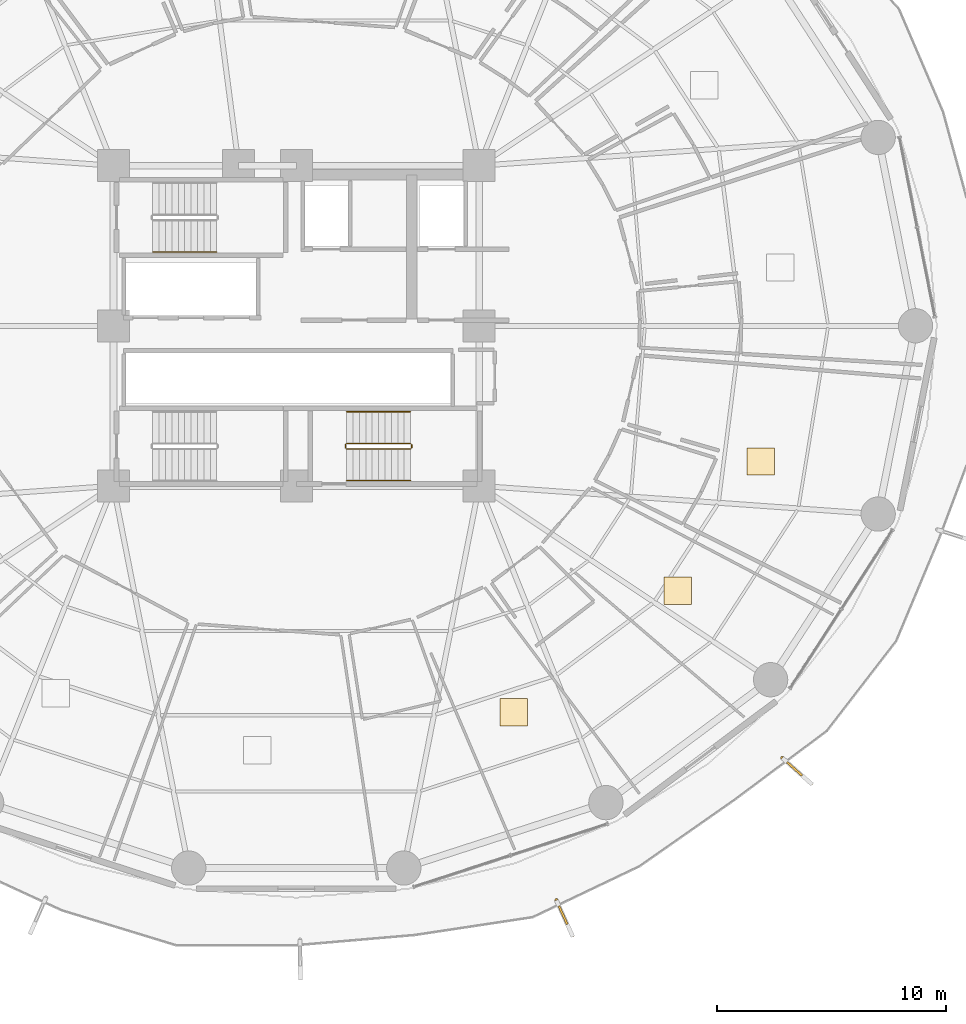
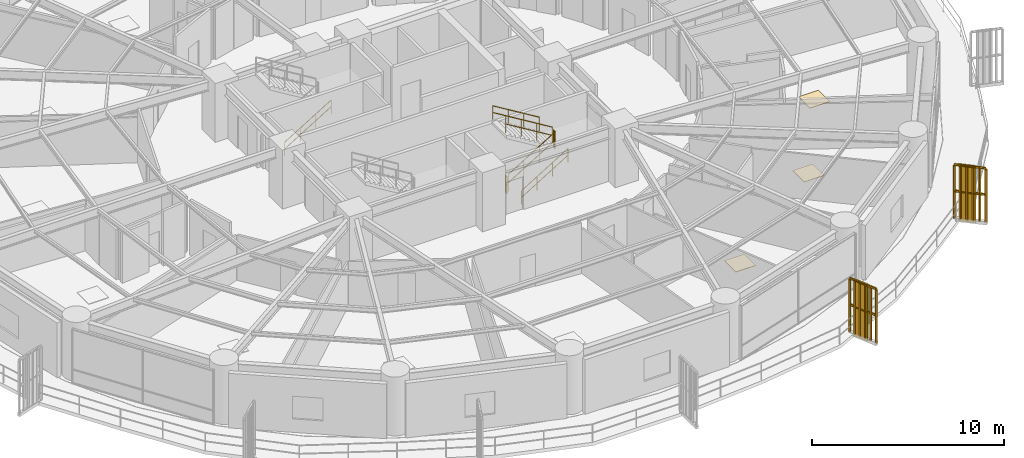
# One storey, part 29 of 32: 9 railings, 3 coverings, 2 shading devices.
"""IFC4 building model written with IfcOpenShell, lengths in metres."""

from ifc_helpers import new_model, si_unit, direction, frame, origin, origin_2d, place, context, subcontext, project, spatial, polyline, rectangle, outline, extrude, source, transform, mapped, material, layer, layer_set, type_object, element, save


model = new_model("IFC4")

# Units and contexts
model_context = context("Model", 3, precision=1e-05, world=origin(), true_north=direction((0.0, 1.0)))
body_context = subcontext(model_context, "Body", "Model", "MODEL_VIEW")
ifc_project = project(units=[si_unit("LENGTHUNIT", "METRE"), si_unit("AREAUNIT", "SQUARE_METRE"), si_unit("VOLUMEUNIT", "CUBIC_METRE"), si_unit("PLANEANGLEUNIT", "RADIAN"), si_unit("MASSUNIT", "GRAM", prefix="KILO")], contexts=[model_context])

# Site, building, storey
site_placement = place(None, origin())
site = spatial("IfcSite", under=ifc_project, at=site_placement, CompositionType="ELEMENT")
building_placement = place(site_placement, origin())
building = spatial("IfcBuilding", under=site, at=building_placement, Name="Kelanora Arch Commons", CompositionType="ELEMENT")
storey_placement = place(building_placement, frame((0.0, 0.0, 56.25)))
storey = spatial("IfcBuildingStorey", under=building, at=storey_placement, Name="L14", CompositionType="ELEMENT", Elevation=56.25)

# Railings
ifc_material_1 = material(Name="Anodised bronze vertical shading fin rib assembly")
railing_type_1 = type_object("IfcRailingType", Name="RAIL-FIN-BRZ", PredefinedType="BALUSTRADE", material=ifc_material_1)
railing_1_placement = place(storey_placement, frame((85.372802734375, 32.87841796875, -0.02001953125)))
element("IfcRailing", 1, at=railing_1_placement, inside=storey, type_object=railing_type_1, Name="Sweeping Bronze Vertical Fin Blade L14-11", PredefinedType="BALUSTRADE", context=body_context, shape_type="SweptSolid", body=[
    extrude(outline(polyline([(0.06982421875, 0.0), (0.034912109375, 0.060546875), (-0.034912109375, 0.060546875), (-0.06982421875, 0.0), (-0.034912109375, -0.060546875), (0.034912109375, -0.060546875), (0.06982421875, 0.0)])), frame((0.0, 0.0, 3.419921875), z_axis=(0.412433015185, -0.910987929659, 0.0), x_axis=(0.910987929659, 0.412433015185, 0.0)), (0.0, 0.0, 1.0), 1.6923828125),
    extrude(outline(polyline([(0.06982421875, 0.0), (0.034912109375, 0.060546875), (-0.034912109375, 0.060546875), (-0.06982421875, 0.0), (-0.034912109375, -0.060546875), (0.034912109375, -0.060546875), (0.06982421875, 0.0)])), frame((0.0, 0.0, 1.7451171875), z_axis=(0.412433015185, -0.910987929659, 0.0), x_axis=(0.910987929659, 0.412433015185, 0.0)), (0.0, 0.0, 1.0), 1.6923828125),
    extrude(outline(polyline([(0.080078125, 0.0), (0.0400390625, 0.0693359375), (-0.0400390625, 0.0693359375), (-0.080078125, 0.0), (-0.0400390625, -0.0693359375), (0.0400390625, -0.0693359375), (0.080078125, 0.0)])), origin(), (0.0, 0.0, 1.0), 3.35009765625),
    extrude(outline(polyline([(0.080078125, 0.0), (0.0400390625, 0.0693359375), (-0.0400390625, 0.0693359375), (-0.080078125, 0.0), (-0.0400390625, -0.0693359375), (0.0400390625, -0.0693359375), (0.080078125, 0.0)])), frame((0.1396484375, -0.308349609375, 0.0)), (0.0, 0.0, 1.0), 3.35009765625),
    extrude(outline(polyline([(0.080078125, 0.0), (0.0400390625, 0.0693359375), (-0.0400390625, 0.0693359375), (-0.080078125, 0.0), (-0.0400390625, -0.0693359375), (0.0400390625, -0.0693359375), (0.080078125, 0.0)])), frame((0.279296875, -0.61669921875, 0.0)), (0.0, 0.0, 1.0), 3.35009765625),
    extrude(outline(polyline([(0.080078125, 0.0), (0.0400390625, 0.0693359375), (-0.0400390625, 0.0693359375), (-0.080078125, 0.0), (-0.0400390625, -0.0693359375), (0.0400390625, -0.0693359375), (0.080078125, 0.0)])), frame((0.418701171875, -0.925048828125, 0.0)), (0.0, 0.0, 1.0), 3.35009765625),
    extrude(outline(polyline([(0.080078125, 0.0), (0.0400390625, 0.0693359375), (-0.0400390625, 0.0693359375), (-0.080078125, 0.0), (-0.0400390625, -0.0693359375), (0.0400390625, -0.0693359375), (0.080078125, 0.0)])), frame((0.558349609375, -1.2333984375, 0.0)), (0.0, 0.0, 1.0), 3.35009765625),
    extrude(outline(polyline([(0.080078125, 0.0), (0.0400390625, 0.0693359375), (-0.0400390625, 0.0693359375), (-0.080078125, 0.0), (-0.0400390625, -0.0693359375), (0.0400390625, -0.0693359375), (0.080078125, 0.0)])), frame((0.697998046875, -1.541748046875, 0.0)), (0.0, 0.0, 1.0), 3.35009765625),
])
railing_2_placement = place(storey_placement, frame((95.25390625, 39.101318359375, -0.02001953125)))
element("IfcRailing", 2, at=railing_2_placement, inside=storey, type_object=railing_type_1, Name="Sweeping Bronze Vertical Fin Blade L14-12", PredefinedType="BALUSTRADE", context=body_context, shape_type="SweptSolid", body=[
    extrude(outline(polyline([(0.06982421875, 0.0), (0.034912109375, 0.060546875), (-0.034912109375, 0.060546875), (-0.06982421875, 0.0), (-0.034912109375, -0.060546875), (0.034912109375, -0.060546875), (0.06982421875, 0.0)])), frame((0.0, 0.0, 3.419921875), z_axis=(0.747289938381, -0.664498117375, 0.0), x_axis=(0.664498117375, 0.747289938381, 0.0)), (0.0, 0.0, 1.0), 1.692626953125),
    extrude(outline(polyline([(0.06982421875, 0.0), (0.034912109375, 0.060546875), (-0.034912109375, 0.060546875), (-0.06982421875, 0.0), (-0.034912109375, -0.060546875), (0.034912109375, -0.060546875), (0.06982421875, 0.0)])), frame((0.0, 0.0, 1.7451171875), z_axis=(0.747289938381, -0.664498117375, 0.0), x_axis=(0.664498117375, 0.747289938381, 0.0)), (0.0, 0.0, 1.0), 1.692626953125),
    extrude(outline(polyline([(0.080078125, 0.0), (0.0400390625, 0.0693359375), (-0.0400390625, 0.0693359375), (-0.080078125, 0.0), (-0.0400390625, -0.0693359375), (0.0400390625, -0.0693359375), (0.080078125, 0.0)])), origin(), (0.0, 0.0, 1.0), 3.35009765625),
    extrude(outline(polyline([(0.080078125, 0.0), (0.0400390625, 0.0693359375), (-0.0400390625, 0.0693359375), (-0.080078125, 0.0), (-0.0400390625, -0.0693359375), (0.0400390625, -0.0693359375), (0.080078125, 0.0)])), frame((0.2529296875, -0.224853515625, 0.0)), (0.0, 0.0, 1.0), 3.35009765625),
    extrude(outline(polyline([(0.080078125, 0.0), (0.0400390625, 0.0693359375), (-0.0400390625, 0.0693359375), (-0.080078125, 0.0), (-0.0400390625, -0.0693359375), (0.0400390625, -0.0693359375), (0.080078125, 0.0)])), frame((0.505859375, -0.449951171875, 0.0)), (0.0, 0.0, 1.0), 3.35009765625),
    extrude(outline(polyline([(0.080078125, 0.0), (0.0400390625, 0.0693359375), (-0.0400390625, 0.0693359375), (-0.080078125, 0.0), (-0.0400390625, -0.0693359375), (0.0400390625, -0.0693359375), (0.080078125, 0.0)])), frame((0.759033203125, -0.6748046875, 0.0)), (0.0, 0.0, 1.0), 3.35009765625),
    extrude(outline(polyline([(0.080078125, 0.0), (0.0400390625, 0.0693359375), (-0.0400390625, 0.0693359375), (-0.080078125, 0.0), (-0.0400390625, -0.0693359375), (0.0400390625, -0.0693359375), (0.080078125, 0.0)])), frame((1.011962890625, -0.89990234375, 0.0)), (0.0, 0.0, 1.0), 3.35009765625),
    extrude(outline(polyline([(0.080078125, 0.0), (0.0400390625, 0.0693359375), (-0.0400390625, 0.0693359375), (-0.080078125, 0.0), (-0.0400390625, -0.0693359375), (0.0400390625, -0.0693359375), (0.080078125, 0.0)])), frame((1.264892578125, -1.124755859375, 0.0)), (0.0, 0.0, 1.0), 3.35009765625),
])
ifc_material_2 = material(Name="Painted steel stair well guard", Category="steel")
railing_type_2 = type_object("IfcRailingType", Name="RAIL-STAIR-GRD", PredefinedType="GUARDRAIL", material=ifc_material_2)
railing_3_placement = place(storey_placement, frame((76.199951171875, 52.610107421875, 0.17041015625)))
element("IfcRailing", 3, at=railing_3_placement, inside=storey, type_object=railing_type_2, Name="L14 ST-T2 stair guard 1", PredefinedType="GUARDRAIL", context=body_context, shape_type="SweptSolid", body=[
    extrude(outline(polyline([(0.02392578125, 0.0), (0.011962890625, 0.020751953125), (-0.011962890625, 0.020751953125), (-0.02392578125, 0.0), (-0.011962890625, -0.020751953125), (0.011962890625, -0.020751953125), (0.02392578125, 0.0)])), frame((0.0, 0.0, 1.076171875), z_axis=(0.854169791009, 0.0, 0.51999420009), x_axis=(0.0, 1.0, 0.0)), (0.0, 0.0, 1.0), 3.278076171875),
    extrude(outline(polyline([(0.02392578125, 0.0), (0.011962890625, 0.020751953125), (-0.011962890625, 0.020751953125), (-0.02392578125, 0.0), (-0.011962890625, -0.020751953125), (0.011962890625, -0.020751953125), (0.02392578125, 0.0)])), frame((0.0, 0.0, 0.550048828125), z_axis=(0.854169791009, 0.0, 0.51999420009), x_axis=(0.0, 1.0, 0.0)), (0.0, 0.0, 1.0), 3.278076171875),
    extrude(outline(polyline([(0.02099609375, 0.0), (0.010498046875, 0.01806640625), (-0.010498046875, 0.01806640625), (-0.02099609375, 0.0), (-0.010498046875, -0.01806640625), (0.010498046875, -0.01806640625), (0.02099609375, 0.0)])), origin(), (0.0, 0.0, 1.0), 1.052001953125),
    extrude(outline(polyline([(0.02099609375, 0.0), (0.010498046875, 0.01806640625), (-0.010498046875, 0.01806640625), (-0.02099609375, 0.0), (-0.010498046875, -0.01806640625), (0.010498046875, -0.01806640625), (0.02099609375, 0.0)])), frame((0.933349609375, 0.0, 0.568115234375)), (0.0, 0.0, 1.0), 1.052001953125),
    extrude(outline(polyline([(0.02099609375, 0.0), (0.010498046875, 0.01806640625), (-0.010498046875, 0.01806640625), (-0.02099609375, 0.0), (-0.010498046875, -0.01806640625), (0.010498046875, -0.01806640625), (0.02099609375, 0.0)])), frame((1.86669921875, 0.0, 1.136474609375)), (0.0, 0.0, 1.0), 1.052001953125),
    extrude(outline(polyline([(0.02099609375, 0.0), (0.010498046875, 0.01806640625), (-0.010498046875, 0.01806640625), (-0.02099609375, 0.0), (-0.010498046875, -0.01806640625), (0.010498046875, -0.01806640625), (0.02099609375, 0.0)])), frame((2.800048828125, 0.0, 1.70458984375)), (0.0, 0.0, 1.0), 1.052001953125),
])
railing_4_placement = place(storey_placement, frame((79.050048828125, 52.659912109375, 1.875)))
element("IfcRailing", 4, at=railing_4_placement, inside=storey, type_object=railing_type_2, Name="L14 ST-T2 stair guard 2", PredefinedType="GUARDRAIL", context=body_context, shape_type="SweptSolid", body=[
    extrude(outline(polyline([(0.02392578125, 0.0), (0.011962890625, 0.020751953125), (-0.011962890625, 0.020751953125), (-0.02392578125, 0.0), (-0.011962890625, -0.020751953125), (0.011962890625, -0.020751953125), (0.02392578125, 0.0)])), frame((0.0, 0.0, 1.076171875), z_axis=(0.0, 1.0, 0.0), x_axis=(-1.0, 0.0, 0.0)), (0.0, 0.0, 1.0), 0.150146484375),
    extrude(outline(polyline([(0.02392578125, 0.0), (0.011962890625, 0.020751953125), (-0.011962890625, 0.020751953125), (-0.02392578125, 0.0), (-0.011962890625, -0.020751953125), (0.011962890625, -0.020751953125), (0.02392578125, 0.0)])), frame((0.0, 0.0, 0.550048828125), z_axis=(0.0, 1.0, 0.0), x_axis=(-1.0, 0.0, 0.0)), (0.0, 0.0, 1.0), 0.150146484375),
    extrude(outline(polyline([(0.02099609375, 0.0), (0.010498046875, 0.01806640625), (-0.010498046875, 0.01806640625), (-0.02099609375, 0.0), (-0.010498046875, -0.01806640625), (0.010498046875, -0.01806640625), (0.02099609375, 0.0)])), origin(), (0.0, 0.0, 1.0), 1.052001953125),
    extrude(outline(polyline([(0.02099609375, 0.0), (0.010498046875, 0.01806640625), (-0.010498046875, 0.01806640625), (-0.02099609375, 0.0), (-0.010498046875, -0.01806640625), (0.010498046875, -0.01806640625), (0.02099609375, 0.0)])), frame((0.0, 0.150146484375, 0.0)), (0.0, 0.0, 1.0), 1.052001953125),
])
railing_5_placement = place(storey_placement, frame((79.0, 52.860107421875, 2.04541015625)))
element("IfcRailing", 5, at=railing_5_placement, inside=storey, type_object=railing_type_2, Name="L14 ST-T2 stair guard 3", PredefinedType="GUARDRAIL", context=body_context, shape_type="SweptSolid", body=[
    extrude(outline(polyline([(0.02392578125, 0.0), (0.011962890625, 0.020751953125), (-0.011962890625, 0.020751953125), (-0.02392578125, 0.0), (-0.011962890625, -0.020751953125), (0.011962890625, -0.020751953125), (0.02392578125, 0.0)])), frame((0.0, 0.0, 1.076171875), z_axis=(-0.854169791009, 0.0, 0.51999420009), x_axis=(0.0, -1.0, 0.0)), (0.0, 0.0, 1.0), 3.278076171875),
    extrude(outline(polyline([(0.02392578125, 0.0), (0.011962890625, 0.020751953125), (-0.011962890625, 0.020751953125), (-0.02392578125, 0.0), (-0.011962890625, -0.020751953125), (0.011962890625, -0.020751953125), (0.02392578125, 0.0)])), frame((0.0, 0.0, 0.550048828125), z_axis=(-0.854169791009, 0.0, 0.51999420009), x_axis=(0.0, -1.0, 0.0)), (0.0, 0.0, 1.0), 3.278076171875),
    extrude(outline(polyline([(0.02099609375, 0.0), (0.010498046875, 0.01806640625), (-0.010498046875, 0.01806640625), (-0.02099609375, 0.0), (-0.010498046875, -0.01806640625), (0.010498046875, -0.01806640625), (0.02099609375, 0.0)])), origin(), (0.0, 0.0, 1.0), 1.052001953125),
    extrude(outline(polyline([(0.02099609375, 0.0), (0.010498046875, 0.01806640625), (-0.010498046875, 0.01806640625), (-0.02099609375, 0.0), (-0.010498046875, -0.01806640625), (0.010498046875, -0.01806640625), (0.02099609375, 0.0)])), frame((-0.933349609375, 0.0, 0.568115234375)), (0.0, 0.0, 1.0), 1.052001953125),
    extrude(outline(polyline([(0.02099609375, 0.0), (0.010498046875, 0.01806640625), (-0.010498046875, 0.01806640625), (-0.02099609375, 0.0), (-0.010498046875, -0.01806640625), (0.010498046875, -0.01806640625), (0.02099609375, 0.0)])), frame((-1.86669921875, 0.0, 1.136474609375)), (0.0, 0.0, 1.0), 1.052001953125),
    extrude(outline(polyline([(0.02099609375, 0.0), (0.010498046875, 0.01806640625), (-0.010498046875, 0.01806640625), (-0.02099609375, 0.0), (-0.010498046875, -0.01806640625), (0.010498046875, -0.01806640625), (0.02099609375, 0.0)])), frame((-2.800048828125, 0.0, 1.70458984375)), (0.0, 0.0, 1.0), 1.052001953125),
])
railing_6_placement = place(storey_placement, frame((76.14990234375, 52.659912109375, 0.0)))
element("IfcRailing", 6, at=railing_6_placement, inside=storey, type_object=railing_type_2, Name="L14 ST-T2 stair guard 4", PredefinedType="GUARDRAIL", context=body_context, shape_type="SweptSolid", body=[
    extrude(outline(polyline([(0.02392578125, 0.0), (0.011962890625, 0.020751953125), (-0.011962890625, 0.020751953125), (-0.02392578125, 0.0), (-0.011962890625, -0.020751953125), (0.011962890625, -0.020751953125), (0.02392578125, 0.0)])), frame((0.0, 0.0, 1.076171875), z_axis=(0.0, 1.0, 0.0), x_axis=(-1.0, 0.0, 0.0)), (0.0, 0.0, 1.0), 0.150146484375),
    extrude(outline(polyline([(0.02392578125, 0.0), (0.011962890625, 0.020751953125), (-0.011962890625, 0.020751953125), (-0.02392578125, 0.0), (-0.011962890625, -0.020751953125), (0.011962890625, -0.020751953125), (0.02392578125, 0.0)])), frame((0.0, 0.0, 0.550048828125), z_axis=(0.0, 1.0, 0.0), x_axis=(-1.0, 0.0, 0.0)), (0.0, 0.0, 1.0), 0.150146484375),
    extrude(outline(polyline([(0.02099609375, 0.0), (0.010498046875, 0.01806640625), (-0.010498046875, 0.01806640625), (-0.02099609375, 0.0), (-0.010498046875, -0.01806640625), (0.010498046875, -0.01806640625), (0.02099609375, 0.0)])), origin(), (0.0, 0.0, 1.0), 1.052001953125),
    extrude(outline(polyline([(0.02099609375, 0.0), (0.010498046875, 0.01806640625), (-0.010498046875, 0.01806640625), (-0.02099609375, 0.0), (-0.010498046875, -0.01806640625), (0.010498046875, -0.01806640625), (0.02099609375, 0.0)])), frame((0.0, 0.150146484375, 0.0)), (0.0, 0.0, 1.0), 1.052001953125),
])
ifc_material_3 = material(Name="Brushed stainless steel stair handrail", Category="steel")
railing_type_3 = type_object("IfcRailingType", Name="RAIL-STAIR-HND", PredefinedType="HANDRAIL", material=ifc_material_3)
railing_7_placement = place(storey_placement, frame((67.719970703125, 61.22998046875, 0.17041015625)))
element("IfcRailing", 7, at=railing_7_placement, inside=storey, type_object=railing_type_3, Name="L14 ST-T1 stair handrail 1", PredefinedType="HANDRAIL", context=body_context, shape_type="SweptSolid", body=[
    extrude(outline(polyline([(0.02392578125, 0.0), (0.011962890625, 0.020751953125), (-0.011962890625, 0.020751953125), (-0.02392578125, 0.0), (-0.011962890625, -0.020751953125), (0.011962890625, -0.020751953125), (0.02392578125, 0.0)])), frame((0.0, 0.0, 0.8759765625), z_axis=(0.854169791009, 0.0, 0.51999420009), x_axis=(0.0, 1.0, 0.0)), (0.0, 0.0, 1.0), 3.278076171875),
    extrude(outline(polyline([(0.02392578125, 0.0), (0.011962890625, 0.020751953125), (-0.011962890625, 0.020751953125), (-0.02392578125, 0.0), (-0.011962890625, -0.020751953125), (0.011962890625, -0.020751953125), (0.02392578125, 0.0)])), frame((0.0, 0.0, 0.449951171875), z_axis=(0.854169791009, 0.0, 0.51999420009), x_axis=(0.0, 1.0, 0.0)), (0.0, 0.0, 1.0), 3.278076171875),
    extrude(outline(polyline([(0.02099609375, 0.0), (0.010498046875, 0.01806640625), (-0.010498046875, 0.01806640625), (-0.02099609375, 0.0), (-0.010498046875, -0.01806640625), (0.010498046875, -0.01806640625), (0.02099609375, 0.0)])), origin(), (0.0, 0.0, 1.0), 0.851806640625),
    extrude(outline(polyline([(0.02099609375, 0.0), (0.010498046875, 0.01806640625), (-0.010498046875, 0.01806640625), (-0.02099609375, 0.0), (-0.010498046875, -0.01806640625), (0.010498046875, -0.01806640625), (0.02099609375, 0.0)])), frame((0.933349609375, 0.0, 0.568115234375)), (0.0, 0.0, 1.0), 0.851806640625),
    extrude(outline(polyline([(0.02099609375, 0.0), (0.010498046875, 0.01806640625), (-0.010498046875, 0.01806640625), (-0.02099609375, 0.0), (-0.010498046875, -0.01806640625), (0.010498046875, -0.01806640625), (0.02099609375, 0.0)])), frame((1.86669921875, 0.0, 1.136474609375)), (0.0, 0.0, 1.0), 0.851806640625),
    extrude(outline(polyline([(0.02099609375, 0.0), (0.010498046875, 0.01806640625), (-0.010498046875, 0.01806640625), (-0.02099609375, 0.0), (-0.010498046875, -0.01806640625), (0.010498046875, -0.01806640625), (0.02099609375, 0.0)])), frame((2.800048828125, 0.0, 1.70458984375)), (0.0, 0.0, 1.0), 0.851806640625),
])
railing_8_placement = place(storey_placement, frame((76.199951171875, 51.22998046875, 0.17041015625)))
element("IfcRailing", 8, at=railing_8_placement, inside=storey, type_object=railing_type_3, Name="L14 ST-T2 stair handrail 1", PredefinedType="HANDRAIL", context=body_context, shape_type="SweptSolid", body=[
    extrude(outline(polyline([(0.02392578125, 0.0), (0.011962890625, 0.020751953125), (-0.011962890625, 0.020751953125), (-0.02392578125, 0.0), (-0.011962890625, -0.020751953125), (0.011962890625, -0.020751953125), (0.02392578125, 0.0)])), frame((0.0, 0.0, 0.8759765625), z_axis=(0.854169791009, 0.0, 0.51999420009), x_axis=(0.0, 1.0, 0.0)), (0.0, 0.0, 1.0), 3.278076171875),
    extrude(outline(polyline([(0.02392578125, 0.0), (0.011962890625, 0.020751953125), (-0.011962890625, 0.020751953125), (-0.02392578125, 0.0), (-0.011962890625, -0.020751953125), (0.011962890625, -0.020751953125), (0.02392578125, 0.0)])), frame((0.0, 0.0, 0.449951171875), z_axis=(0.854169791009, 0.0, 0.51999420009), x_axis=(0.0, 1.0, 0.0)), (0.0, 0.0, 1.0), 3.278076171875),
    extrude(outline(polyline([(0.02099609375, 0.0), (0.010498046875, 0.01806640625), (-0.010498046875, 0.01806640625), (-0.02099609375, 0.0), (-0.010498046875, -0.01806640625), (0.010498046875, -0.01806640625), (0.02099609375, 0.0)])), origin(), (0.0, 0.0, 1.0), 0.851806640625),
    extrude(outline(polyline([(0.02099609375, 0.0), (0.010498046875, 0.01806640625), (-0.010498046875, 0.01806640625), (-0.02099609375, 0.0), (-0.010498046875, -0.01806640625), (0.010498046875, -0.01806640625), (0.02099609375, 0.0)])), frame((0.933349609375, 0.0, 0.568115234375)), (0.0, 0.0, 1.0), 0.851806640625),
    extrude(outline(polyline([(0.02099609375, 0.0), (0.010498046875, 0.01806640625), (-0.010498046875, 0.01806640625), (-0.02099609375, 0.0), (-0.010498046875, -0.01806640625), (0.010498046875, -0.01806640625), (0.02099609375, 0.0)])), frame((1.86669921875, 0.0, 1.136474609375)), (0.0, 0.0, 1.0), 0.851806640625),
    extrude(outline(polyline([(0.02099609375, 0.0), (0.010498046875, 0.01806640625), (-0.010498046875, 0.01806640625), (-0.02099609375, 0.0), (-0.010498046875, -0.01806640625), (0.010498046875, -0.01806640625), (0.02099609375, 0.0)])), frame((2.800048828125, 0.0, 1.70458984375)), (0.0, 0.0, 1.0), 0.851806640625),
])
railing_9_placement = place(storey_placement, frame((79.0, 54.239990234375, 2.04541015625)))
element("IfcRailing", 9, at=railing_9_placement, inside=storey, type_object=railing_type_3, Name="L14 ST-T2 stair handrail 2", PredefinedType="HANDRAIL", context=body_context, shape_type="SweptSolid", body=[
    extrude(outline(polyline([(0.02392578125, 0.0), (0.011962890625, 0.020751953125), (-0.011962890625, 0.020751953125), (-0.02392578125, 0.0), (-0.011962890625, -0.020751953125), (0.011962890625, -0.020751953125), (0.02392578125, 0.0)])), frame((0.0, 0.0, 0.8759765625), z_axis=(-0.854169791009, 0.0, 0.51999420009), x_axis=(0.0, -1.0, 0.0)), (0.0, 0.0, 1.0), 3.278076171875),
    extrude(outline(polyline([(0.02392578125, 0.0), (0.011962890625, 0.020751953125), (-0.011962890625, 0.020751953125), (-0.02392578125, 0.0), (-0.011962890625, -0.020751953125), (0.011962890625, -0.020751953125), (0.02392578125, 0.0)])), frame((0.0, 0.0, 0.449951171875), z_axis=(-0.854169791009, 0.0, 0.51999420009), x_axis=(0.0, -1.0, 0.0)), (0.0, 0.0, 1.0), 3.278076171875),
    extrude(outline(polyline([(0.02099609375, 0.0), (0.010498046875, 0.01806640625), (-0.010498046875, 0.01806640625), (-0.02099609375, 0.0), (-0.010498046875, -0.01806640625), (0.010498046875, -0.01806640625), (0.02099609375, 0.0)])), origin(), (0.0, 0.0, 1.0), 0.851806640625),
    extrude(outline(polyline([(0.02099609375, 0.0), (0.010498046875, 0.01806640625), (-0.010498046875, 0.01806640625), (-0.02099609375, 0.0), (-0.010498046875, -0.01806640625), (0.010498046875, -0.01806640625), (0.02099609375, 0.0)])), frame((-0.933349609375, 0.0, 0.568115234375)), (0.0, 0.0, 1.0), 0.851806640625),
    extrude(outline(polyline([(0.02099609375, 0.0), (0.010498046875, 0.01806640625), (-0.010498046875, 0.01806640625), (-0.02099609375, 0.0), (-0.010498046875, -0.01806640625), (0.010498046875, -0.01806640625), (0.02099609375, 0.0)])), frame((-1.86669921875, 0.0, 1.136474609375)), (0.0, 0.0, 1.0), 0.851806640625),
    extrude(outline(polyline([(0.02099609375, 0.0), (0.010498046875, 0.01806640625), (-0.010498046875, 0.01806640625), (-0.02099609375, 0.0), (-0.010498046875, -0.01806640625), (0.010498046875, -0.01806640625), (0.02099609375, 0.0)])), frame((-2.800048828125, 0.0, 1.70458984375)), (0.0, 0.0, 1.0), 0.851806640625),
])

# Shading devices
ifc_material_4 = material(Name="Terracotta ceramic-clad extruded aluminium fin", Category="masonry")
shading_device_type = type_object("IfcShadingDeviceType", Name="SHD-FIN-FLARE", PredefinedType="USERDEFINED", material=ifc_material_4)
shared_shape_1 = source(origin(), body_context, "Body", "SweptSolid", [
    extrude(rectangle(XDim=0.8798828125, YDim=0.090087890625, at=origin_2d()), origin(), (0.0, 0.0, 1.0), 3.610107421875),
])
for number, where, z_axis, x_axis, name in (
    (10, (85.669921875, 32.22265625, -0.14013671875), (0.0, 0.0, 1.0), (0.412468552072, -0.910971840153, 0.0), "Sweeping Terracotta Fin L14-11"),
    (11, (95.7919921875, 38.622802734375, -0.14013671875), (0.0, 0.0, 1.0), (0.747334400366, -0.664448112368, 0.0), "Sweeping Terracotta Fin L14-12"),
):
    element("IfcShadingDevice", number, at=place(storey_placement, frame(where, z_axis=z_axis, x_axis=x_axis)), inside=storey, type_object=shading_device_type, Name=name, ObjectType="FIN", PredefinedType="USERDEFINED", context=body_context, shape_type="MappedRepresentation", body=[
        mapped(shared_shape_1, transform((0.0, 0.0, 0.0), scale=1.0)),
    ])

# Coverings
ifc_material_5 = material(Name="Polished local granite terrazzo flooring", Category="masonry")
ifc_layer = layer(ifc_material_5, 0.030029296875)
ifc_layer_set = layer_set([ifc_layer], Name="Polished local granite terrazzo flooring")
covering_type = type_object("IfcCoveringType", Name="COV-FLR-TER", PredefinedType="FLOORING", material=ifc_layer_set)
shared_shape_2 = source(origin(), body_context, "Body", "SweptSolid", [
    extrude(rectangle(XDim=1.199951171875, YDim=1.199951171875, at=origin_2d()), origin(), (0.0, 0.0, 1.0), 0.030029296875),
])
for number, where, z_axis, x_axis, name in (
    (12, (83.512939453125, 41.092529296875, 0.0), (0.0, 0.0, 1.0), (1.0, 0.0, 0.0), "Quiet Reading Carrel L14-11 Terrazzo Finish"),
    (13, (90.6845703125, 46.403564453125, 0.0), (0.0, 0.0, 1.0), (1.0, 0.0, 0.0), "Tutorial Study Alcove L14-12 Terrazzo Finish"),
    (14, (94.30615234375, 52.06494140625, 0.0), (0.0, 0.0, 1.0), (1.0, 0.0, 0.0), "Co-Living Studio L14-13 Terrazzo Finish"),
):
    element("IfcCovering", number, at=place(storey_placement, frame(where, z_axis=z_axis, x_axis=x_axis)), inside=storey, type_object=covering_type, Name=name, PredefinedType="FLOORING", context=body_context, shape_type="MappedRepresentation", body=[
        mapped(shared_shape_2, transform((0.0, 0.0, 0.0), scale=1.0)),
    ])

save(model, "model.ifc")
